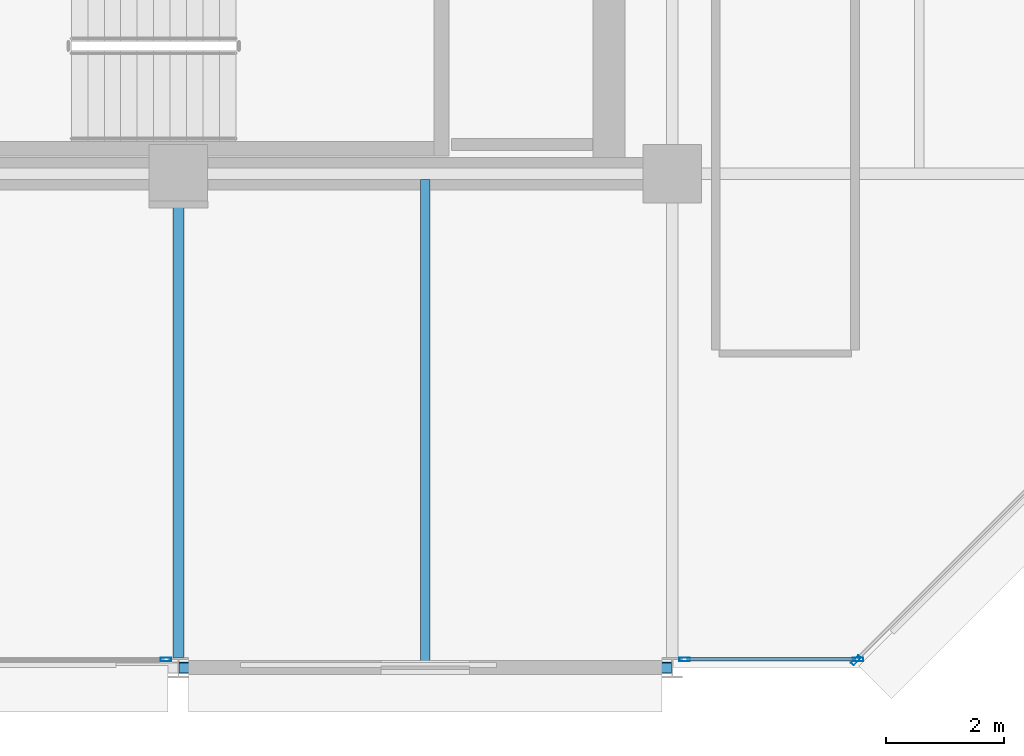
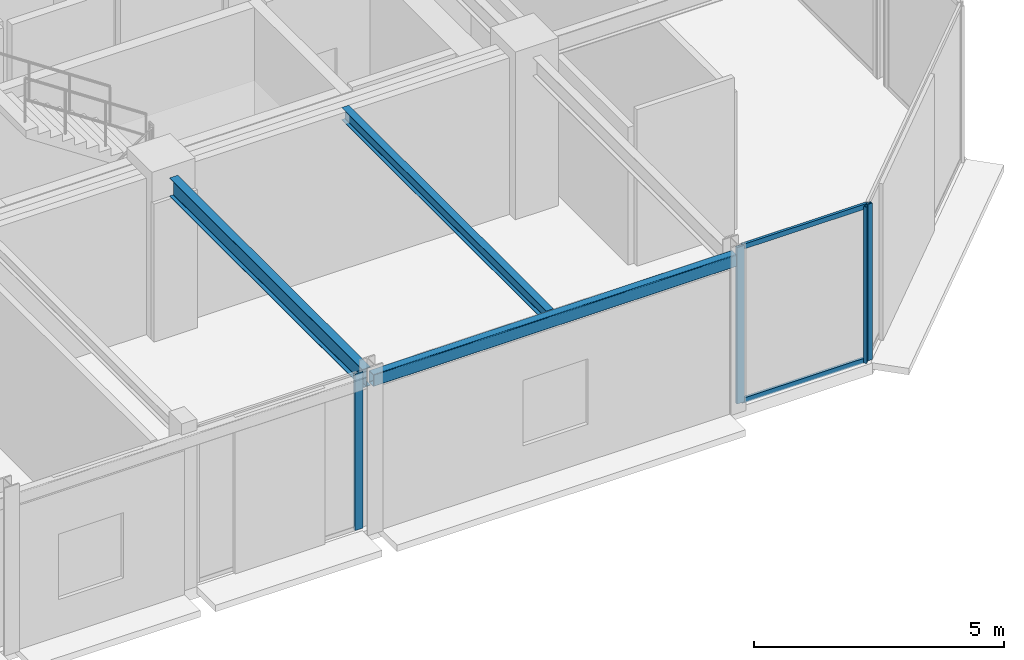
# One storey, part 12 of 30: 6 members, 3 beams, 3 elements without a shape of their own.
"""IFC4 building model written with IfcOpenShell, lengths in metres."""

from ifc_helpers import new_model, si_unit, direction, frame, origin, origin_2d, place, context, subcontext, project, spatial, hollow_rectangle, i_section, extrude, material, layer, layer_set, material_profile, profile_set, type_object, element, aggregate, save


model = new_model("IFC4")

# Units and contexts
model_context = context("Model", 3, precision=1e-05, world=origin(), true_north=direction((0.0, 1.0)))
body_context = subcontext(model_context, "Body", "Model", "MODEL_VIEW")
ifc_project = project(units=[si_unit("LENGTHUNIT", "METRE"), si_unit("AREAUNIT", "SQUARE_METRE"), si_unit("VOLUMEUNIT", "CUBIC_METRE"), si_unit("PLANEANGLEUNIT", "RADIAN"), si_unit("MASSUNIT", "GRAM", prefix="KILO")], contexts=[model_context])

# Site, building, storey
site_placement = place(None, origin())
site = spatial("IfcSite", under=ifc_project, at=site_placement, CompositionType="ELEMENT")
building_placement = place(site_placement, origin())
building = spatial("IfcBuilding", under=site, at=building_placement, Name="Nerrivon Quay Data Exchange", CompositionType="ELEMENT")
storey_placement = place(building_placement, frame((0.0, 0.0, 167.300048828125)))
storey = spatial("IfcBuildingStorey", under=building, at=storey_placement, Name="L39", CompositionType="ELEMENT", Elevation=167.300048828125)

# Beams
ifc_material_1 = material(Name="Steel Grade 350", Category="steel")
ifc_material_profile_1 = material_profile(ifc_material_1, i_section(OverallWidth=0.18994140625, OverallDepth=0.4541015625, WebThickness=0.008544921875, FlangeThickness=0.0126953125, FilletRadius=0.011474609375, at=origin_2d()), Name="460UB67.1")
ifc_profile_set_1 = profile_set([ifc_material_profile_1], Name="Steel Grade 350")
beam_type_1 = type_object("IfcBeamType", Name="BM-G6-460UB67", PredefinedType="BEAM", material=ifc_profile_set_1)
beam_1_placement = place(storey_placement, frame((25.199951171875, 0.175048828125, 3.597900390625), z_axis=(0.0, 1.0, 0.0), x_axis=(-1.0, 0.0, 0.0)))
element("IfcBeam", 1, at=beam_1_placement, inside=storey, type_object=beam_type_1, Name="L39 NS Girder X=25.2 (0.0..8.4)", PredefinedType="BEAM", context=body_context, shape_type="SweptSolid", body=[
    extrude(i_section(OverallWidth=0.18994140625, OverallDepth=0.4541015625, WebThickness=0.008544921875, FlangeThickness=0.0126953125, FilletRadius=0.011474609375, at=origin_2d()), origin(), (0.0, 0.0, 1.0), 7.724853515625),
])
ifc_material_profile_2 = material_profile(ifc_material_1, i_section(OverallWidth=0.166015625, OverallDepth=0.306884765625, WebThickness=0.006591796875, FlangeThickness=0.01171875, FilletRadius=0.011474609375, at=origin_2d()), Name="310UB46.2")
ifc_profile_set_2 = profile_set([ifc_material_profile_2], Name="Steel Grade 350")
beam_type_2 = type_object("IfcBeamType", Name="BM-J5-310UB46", PredefinedType="JOIST", material=ifc_profile_set_2)
beam_2_placement = place(storey_placement, frame((29.39990234375, 0.10009765625, 3.67138671875), z_axis=(0.0, 1.0, 0.0), x_axis=(-1.0, 0.0, 0.0)))
element("IfcBeam", 2, at=beam_2_placement, inside=storey, type_object=beam_type_2, Name="L39 Secondary Joist X=29.4 (0.0..8.4)", PredefinedType="JOIST", context=body_context, shape_type="SweptSolid", body=[
    extrude(i_section(OverallWidth=0.166015625, OverallDepth=0.306884765625, WebThickness=0.006591796875, FlangeThickness=0.01171875, FilletRadius=0.011474609375, at=origin_2d()), origin(), (0.0, 0.0, 1.0), 8.204345703125),
])
ifc_material_2 = material(Name="Steel Grade C350L0 (350 MPa)", Category="steel")
ifc_material_profile_3 = material_profile(ifc_material_2, hollow_rectangle(XDim=0.199951171875, YDim=0.300048828125, WallThickness=0.012451171875, InnerFilletRadius=0.018798828125, OuterFilletRadius=0.03125, at=origin_2d()), Name="300x200x12.5RHS")
ifc_profile_set_3 = profile_set([ifc_material_profile_3], Name="Steel Grade C350L0 (350 MPa)")
beam_type_3 = type_object("IfcBeamType", Name="BM-SP3-300x200RHS", PredefinedType="SPANDREL", material=ifc_profile_set_3)
beam_3_placement = place(storey_placement, frame((25.2099609375, 0.0, 3.675048828125), z_axis=(1.0, 0.0, 0.0), x_axis=(0.0, 1.0, 0.0)))
element("IfcBeam", 3, at=beam_3_placement, inside=storey, type_object=beam_type_3, Name="L39 EW Girder Y=0.0 (25.2..33.6)", PredefinedType="SPANDREL", context=body_context, shape_type="SweptSolid", body=[
    extrude(hollow_rectangle(XDim=0.199951171875, YDim=0.300048828125, WallThickness=0.012451171875, InnerFilletRadius=0.018798828125, OuterFilletRadius=0.03125, at=origin_2d()), origin(), (0.0, 0.0, 1.0), 8.380126953125),
])

# Curtain wall, member
ifc_material_3 = material(Name="Anodised aluminium 6063-T6", Category="aluminium")
ifc_layer = layer(ifc_material_3, 0.195068359375)
ifc_layer_set = layer_set([ifc_layer], Name="Anodised aluminium 6063-T6")
curtain_wall_type = type_object("IfcCurtainWallType", Name="CW-SYS-06", PredefinedType="NOTDEFINED", material=ifc_layer_set)
curtain_wall_1_placement = place(storey_placement, origin())
curtain_wall_1 = element("IfcCurtainWall", 4, at=curtain_wall_1_placement, inside=storey, type_object=curtain_wall_type, Name="L39 Unitised Curtain Wall 1", PredefinedType="NOTDEFINED")
ifc_material_profile_4 = material_profile(ifc_material_3, hollow_rectangle(XDim=0.06494140625, YDim=0.179931640625, WallThickness=0.00341796875, at=origin_2d()), Name="ALU-MULL-180x65")
ifc_profile_set_4 = profile_set([ifc_material_profile_4], Name="Anodised aluminium 6063-T6")
member_type_1 = type_object("IfcMemberType", Name="CWM-180x65", PredefinedType="MULLION", material=ifc_profile_set_4)
member_1_placement = place(storey_placement, frame((36.7275390625, 0.12548828125, 0.0), z_axis=(0.0, 0.0, 1.0), x_axis=(0.707106781187, -0.707106781187, 0.0)))
member_1 = element("IfcMember", 5, at=member_1_placement, type_object=member_type_1, Name="CW06 mullion 2", PredefinedType="MULLION", context=body_context, shape_type="SweptSolid", body=[
    extrude(hollow_rectangle(XDim=0.06494140625, YDim=0.179931640625, WallThickness=0.00341796875, at=origin_2d()), origin(), (0.0, 0.0, 1.0), 3.824951171875),
])
aggregate(curtain_wall_1, [member_1])

# Curtain wall, members
curtain_wall_2_placement = place(storey_placement, origin())
curtain_wall_2 = element("IfcCurtainWall", 6, at=curtain_wall_2_placement, inside=storey, type_object=curtain_wall_type, Name="L39 Unitised Curtain Wall 2", PredefinedType="NOTDEFINED")
member_2_placement = place(storey_placement, frame((36.762451171875, 0.139892578125, 0.0), z_axis=(0.0, 0.0, 1.0), x_axis=(0.0, -1.0, 0.0)))
member_2 = element("IfcMember", 7, at=member_2_placement, type_object=member_type_1, Name="CW06 mullion 1", PredefinedType="MULLION", context=body_context, shape_type="SweptSolid", body=[
    extrude(hollow_rectangle(XDim=0.06494140625, YDim=0.179931640625, WallThickness=0.00341796875, at=origin_2d()), origin(), (0.0, 0.0, 1.0), 3.824951171875),
])
member_3_placement = place(storey_placement, frame((33.8125, 0.139892578125, 0.0), z_axis=(0.0, 0.0, 1.0), x_axis=(0.0, -1.0, 0.0)))
member_3 = element("IfcMember", 8, at=member_3_placement, type_object=member_type_1, Name="CW06 mullion 2", PredefinedType="MULLION", context=body_context, shape_type="SweptSolid", body=[
    extrude(hollow_rectangle(XDim=0.06494140625, YDim=0.179931640625, WallThickness=0.00341796875, at=origin_2d()), origin(), (0.0, 0.0, 1.0), 3.824951171875),
])

# Curtain wall, member
curtain_wall_3_placement = place(storey_placement, origin())
curtain_wall_3 = element("IfcCurtainWall", 9, at=curtain_wall_3_placement, inside=storey, type_object=curtain_wall_type, Name="L39 Unitised Curtain Wall 4", PredefinedType="NOTDEFINED")
member_4_placement = place(storey_placement, frame((24.987548828125, 0.139892578125, 0.0), z_axis=(0.0, 0.0, 1.0), x_axis=(0.0, -1.0, 0.0)))
member_4 = element("IfcMember", 10, at=member_4_placement, type_object=member_type_1, Name="CW06 mullion 1", PredefinedType="MULLION", context=body_context, shape_type="SweptSolid", body=[
    extrude(hollow_rectangle(XDim=0.06494140625, YDim=0.179931640625, WallThickness=0.00341796875, at=origin_2d()), origin(), (0.0, 0.0, 1.0), 3.824951171875),
])
aggregate(curtain_wall_3, [member_4])

# Member
ifc_material_profile_5 = material_profile(ifc_material_3, hollow_rectangle(XDim=0.06005859375, YDim=0.1201171875, WallThickness=0.003173828125, at=origin_2d()), Name="ALU-TRAN-120x60")
ifc_profile_set_5 = profile_set([ifc_material_profile_5], Name="Anodised aluminium 6063-T6")
member_type_2 = type_object("IfcMemberType", Name="CWT-120x60", PredefinedType="USERDEFINED", material=ifc_profile_set_5)
member_5_placement = place(storey_placement, frame((36.72509765625, 0.139892578125, 0.032470703125), z_axis=(-1.0, 0.0, 0.0), x_axis=(0.0, -1.0, 0.0)))
member_5 = element("IfcMember", 11, at=member_5_placement, type_object=member_type_2, Name="CW06 transom 1.1", ObjectType="TRANSOM", PredefinedType="USERDEFINED", context=body_context, shape_type="SweptSolid", body=[
    extrude(hollow_rectangle(XDim=0.06005859375, YDim=0.1201171875, WallThickness=0.003173828125, at=origin_2d()), origin(), (0.0, 0.0, 1.0), 2.875),
])

member_6_placement = place(storey_placement, frame((36.72509765625, 0.139892578125, 3.79248046875), z_axis=(-1.0, 0.0, 0.0), x_axis=(0.0, -1.0, 0.0)))
member_6 = element("IfcMember", 12, at=member_6_placement, type_object=member_type_2, Name="CW06 transom 1.2", ObjectType="TRANSOM", PredefinedType="USERDEFINED", context=body_context, shape_type="SweptSolid", body=[
    extrude(hollow_rectangle(XDim=0.06005859375, YDim=0.1201171875, WallThickness=0.003173828125, at=origin_2d()), origin(), (0.0, 0.0, 1.0), 2.875),
])

aggregate(curtain_wall_2, [member_2, member_3, member_5, member_6])

save(model, "model.ifc")
